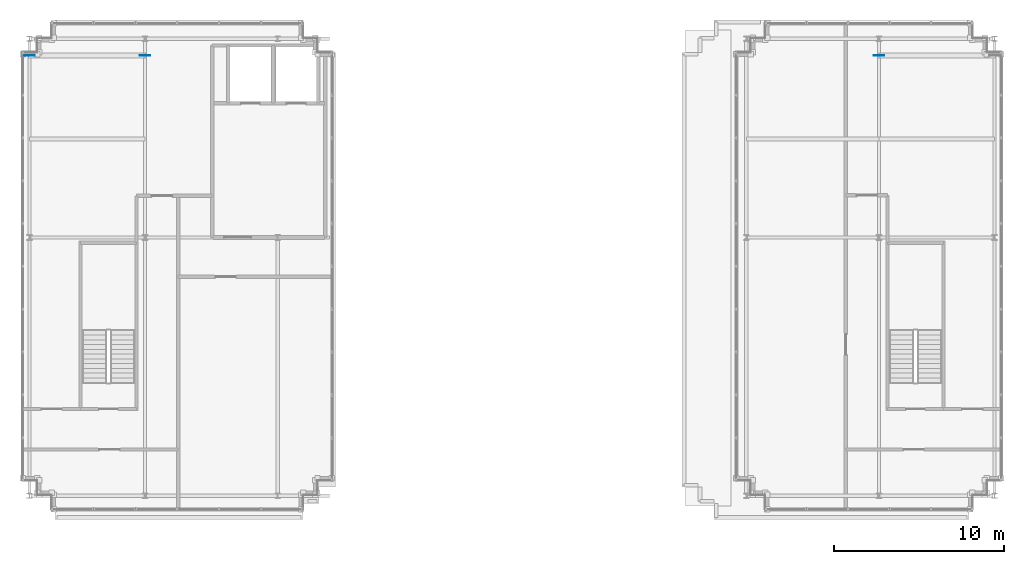
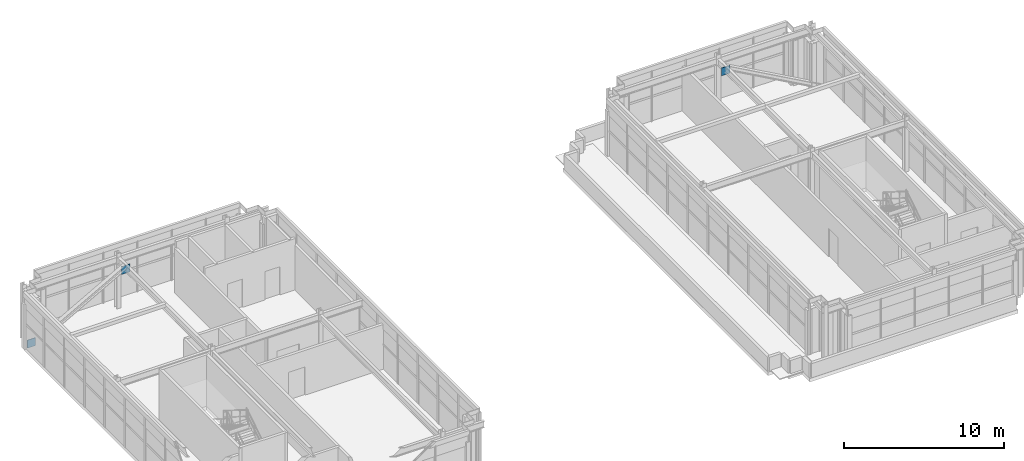
# One storey, part 19 of 25: 3 plates.
"""IFC4 building model written with IfcOpenShell, lengths in metres."""

from ifc_helpers import new_model, si_unit, direction, frame, origin, origin_2d, place, context, subcontext, project, spatial, rectangle, extrude, source, transform, mapped, material, layer, layer_set, type_object, element, save


model = new_model("IFC4")

# Units and contexts
model_context = context("Model", 3, precision=1e-05, world=origin(), true_north=direction((0.0, 1.0)))
body_context = subcontext(model_context, "Body", "Model", "MODEL_VIEW")
ifc_project = project(units=[si_unit("LENGTHUNIT", "METRE"), si_unit("AREAUNIT", "SQUARE_METRE"), si_unit("VOLUMEUNIT", "CUBIC_METRE"), si_unit("PLANEANGLEUNIT", "RADIAN"), si_unit("MASSUNIT", "GRAM", prefix="KILO")], contexts=[model_context])

# Site, building, storey
site_placement = place(None, origin())
site = spatial("IfcSite", under=ifc_project, at=site_placement, CompositionType="ELEMENT")
building_placement = place(site_placement, origin())
building = spatial("IfcBuilding", under=site, at=building_placement, Name="Trelvane Seafront Commons", CompositionType="ELEMENT")
storey_placement = place(building_placement, frame((0.0, 0.0, 316.699951171875)))
storey = spatial("IfcBuildingStorey", under=building, at=storey_placement, Name="L82", CompositionType="ELEMENT", Elevation=316.699951171875)

# Plates
ifc_material = material(Name="Steel SM355 (S355)", Category="steel")
ifc_layer = layer(ifc_material, 0.031982421875, Name="STR-PLT-GUS2")
ifc_layer_set = layer_set([ifc_layer], Name="Steel SM355 (S355)")
plate_type = type_object("IfcPlateType", Name="STR-PLT-GUS2", PredefinedType="SHEET", material=ifc_layer_set)
shared_shape = source(origin(), body_context, "Body", "SweptSolid", [
    extrude(rectangle(XDim=0.60009765625, YDim=0.031982421875, at=origin_2d()), origin(), (0.0, 0.0, 1.0), 0.60009765625),
])
for number, where, z_axis, x_axis, name in (
    (1, (8.800048828125, 44.10009765625, -0.02001953125), (0.0, 0.0, 1.0), (1.0, 0.0, 0.0), "L82 Brace Connection Gusset Plate GP-135"),
    (2, (15.60009765625, 44.10009765625, 3.2099609375), (0.0, 0.0, 1.0), (1.0, 0.0, 0.0), "L82 Brace Connection Gusset Plate GP-136"),
    (3, (58.800048828125, 44.10009765625, 3.2099609375), (0.0, 0.0, 1.0), (1.0, 0.0, 0.0), "L82 Brace Connection Gusset Plate GP-138"),
):
    element("IfcPlate", number, at=place(storey_placement, frame(where, z_axis=z_axis, x_axis=x_axis)), inside=storey, type_object=plate_type, Name=name, PredefinedType="SHEET", context=body_context, shape_type="MappedRepresentation", body=[
        mapped(shared_shape, transform((0.0, 0.0, 0.0), x_axis=(1.0, 0.0, 0.0), y_axis=(0.0, 1.0, 0.0), z_axis=(0.0, 0.0, 1.0), scale=1.0)),
    ])

save(model, "model.ifc")
